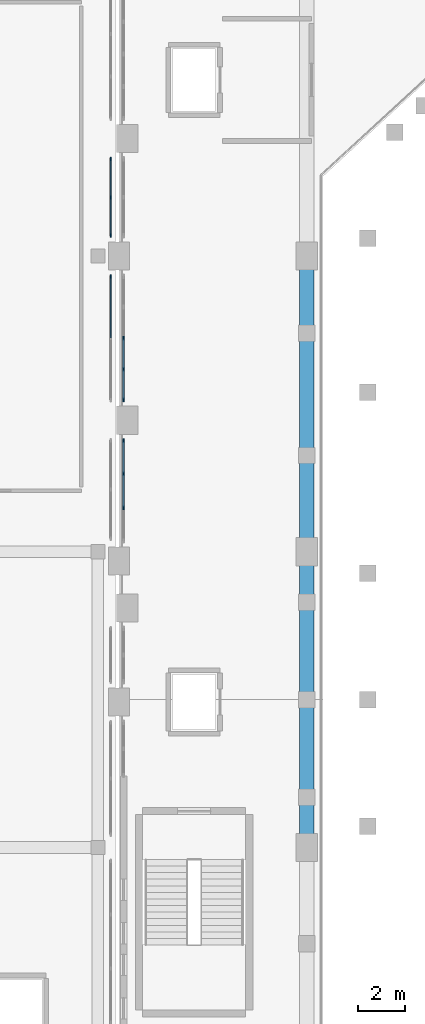
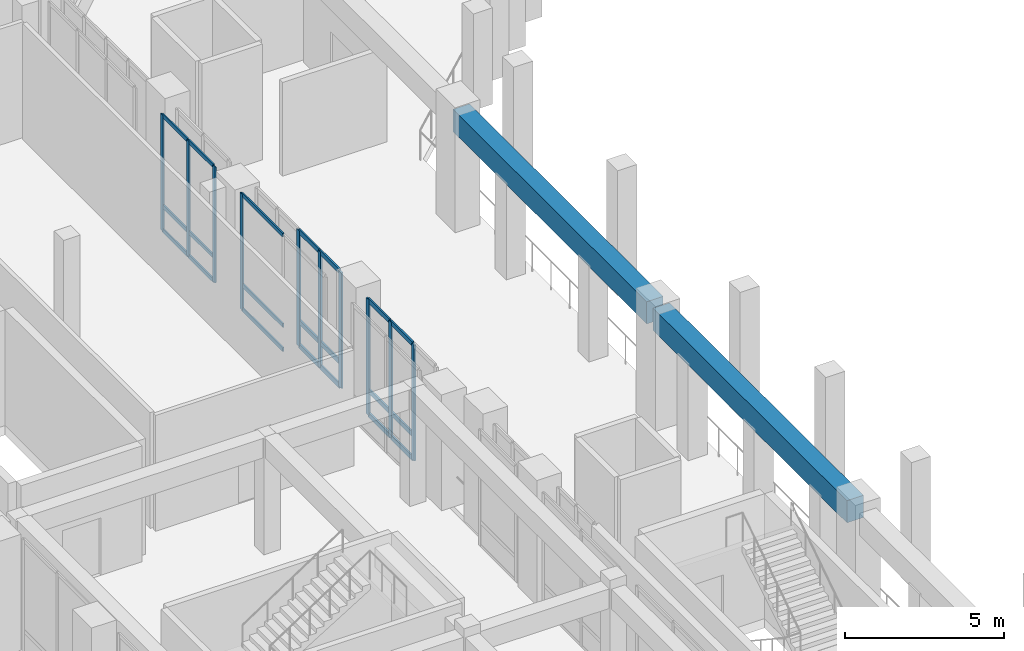
# One storey, part 30 of 126: 31 members, 2 beams, 4 elements without a shape of their own.
"""IFC4 building model written with IfcOpenShell, lengths in metres."""

from ifc_helpers import new_model, si_unit, derived_unit, direction, frame, origin, origin_2d, place, context, subcontext, project, spatial, rectangle, extrude, material, layer, layer_set, material_profile, profile_set, type_object, element, aggregate, save


model = new_model("IFC4")

# Units and contexts
model_context = context("Model", 3, precision=1e-05, world=origin(), true_north=direction((0.0, 1.0)))
body_context = subcontext(model_context, "Body", "Model", "MODEL_VIEW")
ifc_project = project(units=[si_unit("LENGTHUNIT", "METRE"), si_unit("AREAUNIT", "SQUARE_METRE"), si_unit("VOLUMEUNIT", "CUBIC_METRE"), si_unit("PLANEANGLEUNIT", "RADIAN"), si_unit("MASSUNIT", "GRAM", prefix="KILO"), derived_unit("THERMALTRANSMITTANCEUNIT", [(si_unit("MASSUNIT", "GRAM", prefix="KILO"), 1), (si_unit("TIMEUNIT", "SECOND"), -3), (si_unit("THERMODYNAMICTEMPERATUREUNIT", "KELVIN"), -1)])], contexts=[model_context])

# Site, building, storey
site_placement = place(None, origin())
site = spatial("IfcSite", under=ifc_project, at=site_placement, CompositionType="ELEMENT")
building_placement = place(site_placement, origin())
building = spatial("IfcBuilding", under=site, at=building_placement, Name="Valcora Ridge Arena", CompositionType="ELEMENT")
storey_placement = place(building_placement, frame((0.0, 0.0, 11.39990234375)))
storey = spatial("IfcBuildingStorey", under=building, at=storey_placement, Name="L02", CompositionType="ELEMENT", Elevation=11.39990234375)

# Beams
ifc_material_1 = material(Name="Concrete C40/50", Category="concrete")
ifc_material_profile_1 = material_profile(ifc_material_1, rectangle(XDim=0.60009765625, YDim=0.85009765625, at=origin_2d()), Name="RC 600x850")
ifc_profile_set_1 = profile_set([ifc_material_profile_1], Name="Concrete C40/50")
beam_type = type_object("IfcBeamType", Name="TY-BEAM-B-RC600-Y", PredefinedType="BEAM", material=ifc_profile_set_1)
for number, where, z_axis, x_axis, name in (
    (1, (24.0, 58.0, 4.025146484375), (0.0, 1.0, 0.0), (-1.0, 0.0, 0.0), "B-RC600-Y BEM-B-RC600-Y-0018"),
    (2, (24.0, 70.60009765625, 4.025146484375), (0.0, 1.0, 0.0), (-1.0, 0.0, 0.0), "B-RC600-Y BEM-B-RC600-Y-0019"),
):
    element("IfcBeam", number, at=place(storey_placement, frame(where, z_axis=z_axis, x_axis=x_axis)), inside=storey, type_object=beam_type, Name=name, PredefinedType="BEAM", context=body_context, shape_type="SweptSolid", body=[
        extrude(rectangle(XDim=0.60009765625, YDim=0.85009765625, at=origin_2d()), origin(), (0.0, 0.0, 1.0), 12.199951171875),
    ])

# Curtain wall, member
ifc_material_2 = material(Name="Anodised dark bronze architectural aluminium 6063-T6", Category="aluminium")
ifc_layer_1 = layer(ifc_material_2, 0.14990234375, Name="Anodised dark bronze architectural aluminium 6063-T6")
ifc_layer_set_1 = layer_set([ifc_layer_1], Name="Anodised dark bronze architectural aluminium 6063-T6")
curtain_wall_type_1 = type_object("IfcCurtainWallType", Name="TY-CURTAINWALL-CW-V4-CLUB-053X44", PredefinedType="NOTDEFINED", material=ifc_layer_set_1)
curtain_wall_1_placement = place(storey_placement, origin())
curtain_wall_1 = element("IfcCurtainWall", 3, at=curtain_wall_1_placement, inside=storey, type_object=curtain_wall_type_1, Name="CW-V4-CLUB-053X44 CW-0267", PredefinedType="NOTDEFINED")
ifc_material_profile_2 = material_profile(ifc_material_2, rectangle(XDim=0.050048828125, YDim=0.14990234375, at=origin_2d()), Name="ALU MULLION 50x150")
ifc_profile_set_2 = profile_set([ifc_material_profile_2], Name="Anodised dark bronze architectural aluminium 6063-T6")
member_type_1 = type_object("IfcMemberType", Name="TY-MEM-CWM-50x150", PredefinedType="MULLION", material=ifc_profile_set_2)
member_1_placement = place(storey_placement, frame((15.64990234375, 82.135009765625, 0.0), z_axis=(0.0, 0.0, 1.0), x_axis=(-1.0, 0.0, 0.0)))
member_1 = element("IfcMember", 4, at=member_1_placement, type_object=member_type_1, Name="CW-0267/CWM-50x150/M02", PredefinedType="MULLION", context=body_context, shape_type="SweptSolid", body=[
    extrude(rectangle(XDim=0.050048828125, YDim=0.14990234375, at=origin_2d()), origin(), (0.0, 0.0, 1.0), 4.4501953125),
])

# Curtain wall, members
ifc_layer_2 = layer(ifc_material_2, 0.14990234375, Name="Anodised dark bronze architectural aluminium 6063-T6")
ifc_layer_set_2 = layer_set([ifc_layer_2], Name="Anodised dark bronze architectural aluminium 6063-T6")
curtain_wall_type_2 = type_object("IfcCurtainWallType", Name="TY-CURTAINWALL-CW-V4-CLUB-033X44", PredefinedType="NOTDEFINED", material=ifc_layer_set_2)
curtain_wall_2_placement = place(storey_placement, origin())
curtain_wall_2 = element("IfcCurtainWall", 5, at=curtain_wall_2_placement, inside=storey, type_object=curtain_wall_type_2, Name="CW-V4-CLUB-033X44 CW-0268", PredefinedType="NOTDEFINED")
member_2_placement = place(storey_placement, frame((15.64990234375, 83.864990234375, 0.0), z_axis=(0.0, 0.0, 1.0), x_axis=(-1.0, 0.0, 0.0)))
member_2 = element("IfcMember", 6, at=member_2_placement, type_object=member_type_1, Name="CW-0268/CWM-50x150/M00", PredefinedType="MULLION", context=body_context, shape_type="SweptSolid", body=[
    extrude(rectangle(XDim=0.050048828125, YDim=0.14990234375, at=origin_2d()), origin(), (0.0, 0.0, 1.0), 4.4501953125),
])
member_3_placement = place(storey_placement, frame((15.64990234375, 85.5, 0.0), z_axis=(0.0, 0.0, 1.0), x_axis=(-1.0, 0.0, 0.0)))
member_3 = element("IfcMember", 7, at=member_3_placement, type_object=member_type_1, Name="CW-0268/CWM-50x150/M01", PredefinedType="MULLION", context=body_context, shape_type="SweptSolid", body=[
    extrude(rectangle(XDim=0.050048828125, YDim=0.14990234375, at=origin_2d()), origin(), (0.0, 0.0, 1.0), 4.4501953125),
])
member_4_placement = place(storey_placement, frame((15.64990234375, 87.135009765625, 0.0), z_axis=(0.0, 0.0, 1.0), x_axis=(-1.0, 0.0, 0.0)))
member_4 = element("IfcMember", 8, at=member_4_placement, type_object=member_type_1, Name="CW-0268/CWM-50x150/M02", PredefinedType="MULLION", context=body_context, shape_type="SweptSolid", body=[
    extrude(rectangle(XDim=0.050048828125, YDim=0.14990234375, at=origin_2d()), origin(), (0.0, 0.0, 1.0), 4.4501953125),
])

ifc_layer_3 = layer(ifc_material_2, 0.179931640625, Name="Anodised dark bronze architectural aluminium 6063-T6")
ifc_layer_set_3 = layer_set([ifc_layer_3], Name="Anodised dark bronze architectural aluminium 6063-T6")
curtain_wall_type_3 = type_object("IfcCurtainWallType", Name="TY-CURTAINWALL-CW-V1-GOTH-043X44", PredefinedType="NOTDEFINED", material=ifc_layer_set_3)
curtain_wall_3_placement = place(storey_placement, origin())
curtain_wall_3 = element("IfcCurtainWall", 9, at=curtain_wall_3_placement, inside=storey, type_object=curtain_wall_type_3, Name="CW-V1-GOTH-043X44 CW-0116", PredefinedType="NOTDEFINED")
ifc_material_profile_3 = material_profile(ifc_material_2, rectangle(XDim=0.06005859375, YDim=0.179931640625, at=origin_2d()), Name="ALU MULLION 60x180")
ifc_profile_set_3 = profile_set([ifc_material_profile_3], Name="Anodised dark bronze architectural aluminium 6063-T6")
member_type_2 = type_object("IfcMemberType", Name="TY-MEM-CWM-60x180", PredefinedType="MULLION", material=ifc_profile_set_3)
member_5_placement = place(storey_placement, frame((16.199951171875, 72.280029296875, 0.0), z_axis=(0.0, 0.0, 1.0), x_axis=(-1.0, 0.0, 0.0)))
member_5 = element("IfcMember", 10, at=member_5_placement, type_object=member_type_2, Name="CW-0116/CWM-60x180/M01", PredefinedType="MULLION", context=body_context, shape_type="SweptSolid", body=[
    extrude(rectangle(XDim=0.06005859375, YDim=0.179931640625, at=origin_2d()), origin(), (0.0, 0.0, 1.0), 4.4501953125),
])
member_6_placement = place(storey_placement, frame((16.199951171875, 73.719970703125, 0.0), z_axis=(0.0, 0.0, 1.0), x_axis=(-1.0, 0.0, 0.0)))
member_6 = element("IfcMember", 11, at=member_6_placement, type_object=member_type_2, Name="CW-0116/CWM-60x180/M02", PredefinedType="MULLION", context=body_context, shape_type="SweptSolid", body=[
    extrude(rectangle(XDim=0.06005859375, YDim=0.179931640625, at=origin_2d()), origin(), (0.0, 0.0, 1.0), 4.4501953125),
])
member_7_placement = place(storey_placement, frame((16.199951171875, 75.1298828125, 0.0), z_axis=(0.0, 0.0, 1.0), x_axis=(-1.0, 0.0, 0.0)))
member_7 = element("IfcMember", 12, at=member_7_placement, type_object=member_type_2, Name="CW-0116/CWM-60x180/M03", PredefinedType="MULLION", context=body_context, shape_type="SweptSolid", body=[
    extrude(rectangle(XDim=0.06005859375, YDim=0.179931640625, at=origin_2d()), origin(), (0.0, 0.0, 1.0), 4.4501953125),
])

ifc_layer_4 = layer(ifc_material_2, 0.179931640625, Name="Anodised dark bronze architectural aluminium 6063-T6")
ifc_layer_set_4 = layer_set([ifc_layer_4], Name="Anodised dark bronze architectural aluminium 6063-T6")
curtain_wall_type_4 = type_object("IfcCurtainWallType", Name="TY-CURTAINWALL-CW-V1-GOTH-053X44", PredefinedType="NOTDEFINED", material=ifc_layer_set_4)
curtain_wall_4_placement = place(storey_placement, origin())
curtain_wall_4 = element("IfcCurtainWall", 13, at=curtain_wall_4_placement, inside=storey, type_object=curtain_wall_type_4, Name="CW-V1-GOTH-053X44 CW-0117", PredefinedType="NOTDEFINED")
member_8_placement = place(storey_placement, frame((16.199951171875, 76.8701171875, 0.0), z_axis=(0.0, 0.0, 1.0), x_axis=(-1.0, 0.0, 0.0)))
member_8 = element("IfcMember", 14, at=member_8_placement, type_object=member_type_2, Name="CW-0117/CWM-60x180/M00", PredefinedType="MULLION", context=body_context, shape_type="SweptSolid", body=[
    extrude(rectangle(XDim=0.06005859375, YDim=0.179931640625, at=origin_2d()), origin(), (0.0, 0.0, 1.0), 4.4501953125),
])
member_9_placement = place(storey_placement, frame((16.199951171875, 78.169921875, 0.0), z_axis=(0.0, 0.0, 1.0), x_axis=(-1.0, 0.0, 0.0)))
member_9 = element("IfcMember", 15, at=member_9_placement, type_object=member_type_2, Name="CW-0117/CWM-60x180/M01", PredefinedType="MULLION", context=body_context, shape_type="SweptSolid", body=[
    extrude(rectangle(XDim=0.06005859375, YDim=0.179931640625, at=origin_2d()), origin(), (0.0, 0.0, 1.0), 4.4501953125),
])
member_10_placement = place(storey_placement, frame((16.199951171875, 79.5, 0.0), z_axis=(0.0, 0.0, 1.0), x_axis=(-1.0, 0.0, 0.0)))
member_10 = element("IfcMember", 16, at=member_10_placement, type_object=member_type_2, Name="CW-0117/CWM-60x180/M02", PredefinedType="MULLION", context=body_context, shape_type="SweptSolid", body=[
    extrude(rectangle(XDim=0.06005859375, YDim=0.179931640625, at=origin_2d()), origin(), (0.0, 0.0, 1.0), 4.4501953125),
])

# Member
ifc_material_profile_4 = material_profile(ifc_material_2, rectangle(XDim=0.050048828125, YDim=0.14990234375, at=origin_2d()), Name="ALU TRANSOM 50x150")
ifc_profile_set_4 = profile_set([ifc_material_profile_4], Name="Anodised dark bronze architectural aluminium 6063-T6")
member_type_3 = type_object("IfcMemberType", Name="TY-MEM-CWT-50x150", PredefinedType="USERDEFINED", material=ifc_profile_set_4)
member_11_placement = place(storey_placement, frame((15.64990234375, 79.52490234375, 0.025146484375), z_axis=(0.0, 1.0, 0.0), x_axis=(-1.0, 0.0, 0.0)))
member_11 = element("IfcMember", 17, at=member_11_placement, type_object=member_type_3, Name="CW-0267/CWT-50x150/T01-00", ObjectType="TRANSOM", PredefinedType="USERDEFINED", context=body_context, shape_type="SweptSolid", body=[
    extrude(rectangle(XDim=0.050048828125, YDim=0.14990234375, at=origin_2d()), origin(), (0.0, 0.0, 1.0), 2.585205078125),
])

member_12_placement = place(storey_placement, frame((15.64990234375, 79.52490234375, 0.9501953125), z_axis=(0.0, 1.0, 0.0), x_axis=(-1.0, 0.0, 0.0)))
member_12 = element("IfcMember", 18, at=member_12_placement, type_object=member_type_3, Name="CW-0267/CWT-50x150/T01-01", ObjectType="TRANSOM", PredefinedType="USERDEFINED", context=body_context, shape_type="SweptSolid", body=[
    extrude(rectangle(XDim=0.050048828125, YDim=0.14990234375, at=origin_2d()), origin(), (0.0, 0.0, 1.0), 2.585205078125),
])

member_13_placement = place(storey_placement, frame((15.64990234375, 79.52490234375, 4.425048828125), z_axis=(0.0, 1.0, 0.0), x_axis=(-1.0, 0.0, 0.0)))
member_13 = element("IfcMember", 19, at=member_13_placement, type_object=member_type_3, Name="CW-0267/CWT-50x150/T01-02", ObjectType="TRANSOM", PredefinedType="USERDEFINED", context=body_context, shape_type="SweptSolid", body=[
    extrude(rectangle(XDim=0.050048828125, YDim=0.14990234375, at=origin_2d()), origin(), (0.0, 0.0, 1.0), 2.585205078125),
])

aggregate(curtain_wall_1, [member_1, member_11, member_12, member_13])

member_14_placement = place(storey_placement, frame((15.64990234375, 83.889892578125, 0.025146484375), z_axis=(0.0, 1.0, 0.0), x_axis=(-1.0, 0.0, 0.0)))
member_14 = element("IfcMember", 20, at=member_14_placement, type_object=member_type_3, Name="CW-0268/CWT-50x150/T00-00", ObjectType="TRANSOM", PredefinedType="USERDEFINED", context=body_context, shape_type="SweptSolid", body=[
    extrude(rectangle(XDim=0.050048828125, YDim=0.14990234375, at=origin_2d()), origin(), (0.0, 0.0, 1.0), 1.585205078125),
])

member_15_placement = place(storey_placement, frame((15.64990234375, 83.889892578125, 0.9501953125), z_axis=(0.0, 1.0, 0.0), x_axis=(-1.0, 0.0, 0.0)))
member_15 = element("IfcMember", 21, at=member_15_placement, type_object=member_type_3, Name="CW-0268/CWT-50x150/T00-01", ObjectType="TRANSOM", PredefinedType="USERDEFINED", context=body_context, shape_type="SweptSolid", body=[
    extrude(rectangle(XDim=0.050048828125, YDim=0.14990234375, at=origin_2d()), origin(), (0.0, 0.0, 1.0), 1.585205078125),
])

member_16_placement = place(storey_placement, frame((15.64990234375, 83.889892578125, 4.425048828125), z_axis=(0.0, 1.0, 0.0), x_axis=(-1.0, 0.0, 0.0)))
member_16 = element("IfcMember", 22, at=member_16_placement, type_object=member_type_3, Name="CW-0268/CWT-50x150/T00-02", ObjectType="TRANSOM", PredefinedType="USERDEFINED", context=body_context, shape_type="SweptSolid", body=[
    extrude(rectangle(XDim=0.050048828125, YDim=0.14990234375, at=origin_2d()), origin(), (0.0, 0.0, 1.0), 1.585205078125),
])

member_17_placement = place(storey_placement, frame((15.64990234375, 85.52490234375, 0.025146484375), z_axis=(0.0, 1.0, 0.0), x_axis=(-1.0, 0.0, 0.0)))
member_17 = element("IfcMember", 23, at=member_17_placement, type_object=member_type_3, Name="CW-0268/CWT-50x150/T01-00", ObjectType="TRANSOM", PredefinedType="USERDEFINED", context=body_context, shape_type="SweptSolid", body=[
    extrude(rectangle(XDim=0.050048828125, YDim=0.14990234375, at=origin_2d()), origin(), (0.0, 0.0, 1.0), 1.585205078125),
])

member_18_placement = place(storey_placement, frame((15.64990234375, 85.52490234375, 0.9501953125), z_axis=(0.0, 1.0, 0.0), x_axis=(-1.0, 0.0, 0.0)))
member_18 = element("IfcMember", 24, at=member_18_placement, type_object=member_type_3, Name="CW-0268/CWT-50x150/T01-01", ObjectType="TRANSOM", PredefinedType="USERDEFINED", context=body_context, shape_type="SweptSolid", body=[
    extrude(rectangle(XDim=0.050048828125, YDim=0.14990234375, at=origin_2d()), origin(), (0.0, 0.0, 1.0), 1.585205078125),
])

member_19_placement = place(storey_placement, frame((15.64990234375, 85.52490234375, 4.425048828125), z_axis=(0.0, 1.0, 0.0), x_axis=(-1.0, 0.0, 0.0)))
member_19 = element("IfcMember", 25, at=member_19_placement, type_object=member_type_3, Name="CW-0268/CWT-50x150/T01-02", ObjectType="TRANSOM", PredefinedType="USERDEFINED", context=body_context, shape_type="SweptSolid", body=[
    extrude(rectangle(XDim=0.050048828125, YDim=0.14990234375, at=origin_2d()), origin(), (0.0, 0.0, 1.0), 1.585205078125),
])

aggregate(curtain_wall_2, [member_2, member_3, member_4, member_14, member_15, member_16, member_17, member_18, member_19])

ifc_material_profile_5 = material_profile(ifc_material_2, rectangle(XDim=0.06005859375, YDim=0.179931640625, at=origin_2d()), Name="ALU TRANSOM 60x180")
ifc_profile_set_5 = profile_set([ifc_material_profile_5], Name="Anodised dark bronze architectural aluminium 6063-T6")
member_type_4 = type_object("IfcMemberType", Name="TY-MEM-CWT-60x180", PredefinedType="USERDEFINED", material=ifc_profile_set_5)
member_20_placement = place(storey_placement, frame((16.199951171875, 72.31005859375, 0.030029296875), z_axis=(0.0, 1.0, 0.0), x_axis=(-1.0, 0.0, 0.0)))
member_20 = element("IfcMember", 26, at=member_20_placement, type_object=member_type_4, Name="CW-0116/CWT-60x180/T01-00", ObjectType="TRANSOM", PredefinedType="USERDEFINED", context=body_context, shape_type="SweptSolid", body=[
    extrude(rectangle(XDim=0.06005859375, YDim=0.179931640625, at=origin_2d()), origin(), (0.0, 0.0, 1.0), 1.3798828125),
])

member_21_placement = place(storey_placement, frame((16.199951171875, 72.31005859375, 0.9501953125), z_axis=(0.0, 1.0, 0.0), x_axis=(-1.0, 0.0, 0.0)))
member_21 = element("IfcMember", 27, at=member_21_placement, type_object=member_type_4, Name="CW-0116/CWT-60x180/T01-01", ObjectType="TRANSOM", PredefinedType="USERDEFINED", context=body_context, shape_type="SweptSolid", body=[
    extrude(rectangle(XDim=0.06005859375, YDim=0.179931640625, at=origin_2d()), origin(), (0.0, 0.0, 1.0), 1.3798828125),
])

member_22_placement = place(storey_placement, frame((16.199951171875, 72.31005859375, 4.420166015625), z_axis=(0.0, 1.0, 0.0), x_axis=(-1.0, 0.0, 0.0)))
member_22 = element("IfcMember", 28, at=member_22_placement, type_object=member_type_4, Name="CW-0116/CWT-60x180/T01-02", ObjectType="TRANSOM", PredefinedType="USERDEFINED", context=body_context, shape_type="SweptSolid", body=[
    extrude(rectangle(XDim=0.06005859375, YDim=0.179931640625, at=origin_2d()), origin(), (0.0, 0.0, 1.0), 1.3798828125),
])

member_23_placement = place(storey_placement, frame((16.199951171875, 73.75, 0.030029296875), z_axis=(0.0, 1.0, 0.0), x_axis=(-1.0, 0.0, 0.0)))
member_23 = element("IfcMember", 29, at=member_23_placement, type_object=member_type_4, Name="CW-0116/CWT-60x180/T02-00", ObjectType="TRANSOM", PredefinedType="USERDEFINED", context=body_context, shape_type="SweptSolid", body=[
    extrude(rectangle(XDim=0.06005859375, YDim=0.179931640625, at=origin_2d()), origin(), (0.0, 0.0, 1.0), 1.35009765625),
])

member_24_placement = place(storey_placement, frame((16.199951171875, 73.75, 0.9501953125), z_axis=(0.0, 1.0, 0.0), x_axis=(-1.0, 0.0, 0.0)))
member_24 = element("IfcMember", 30, at=member_24_placement, type_object=member_type_4, Name="CW-0116/CWT-60x180/T02-01", ObjectType="TRANSOM", PredefinedType="USERDEFINED", context=body_context, shape_type="SweptSolid", body=[
    extrude(rectangle(XDim=0.06005859375, YDim=0.179931640625, at=origin_2d()), origin(), (0.0, 0.0, 1.0), 1.35009765625),
])

member_25_placement = place(storey_placement, frame((16.199951171875, 73.75, 4.420166015625), z_axis=(0.0, 1.0, 0.0), x_axis=(-1.0, 0.0, 0.0)))
member_25 = element("IfcMember", 31, at=member_25_placement, type_object=member_type_4, Name="CW-0116/CWT-60x180/T02-02", ObjectType="TRANSOM", PredefinedType="USERDEFINED", context=body_context, shape_type="SweptSolid", body=[
    extrude(rectangle(XDim=0.06005859375, YDim=0.179931640625, at=origin_2d()), origin(), (0.0, 0.0, 1.0), 1.35009765625),
])

aggregate(curtain_wall_3, [member_5, member_6, member_7, member_20, member_21, member_22, member_23, member_24, member_25])

member_26_placement = place(storey_placement, frame((16.199951171875, 76.89990234375, 0.030029296875), z_axis=(0.0, 1.0, 0.0), x_axis=(-1.0, 0.0, 0.0)))
member_26 = element("IfcMember", 32, at=member_26_placement, type_object=member_type_4, Name="CW-0117/CWT-60x180/T00-00", ObjectType="TRANSOM", PredefinedType="USERDEFINED", context=body_context, shape_type="SweptSolid", body=[
    extrude(rectangle(XDim=0.06005859375, YDim=0.179931640625, at=origin_2d()), origin(), (0.0, 0.0, 1.0), 1.239990234375),
])

member_27_placement = place(storey_placement, frame((16.199951171875, 76.89990234375, 0.9501953125), z_axis=(0.0, 1.0, 0.0), x_axis=(-1.0, 0.0, 0.0)))
member_27 = element("IfcMember", 33, at=member_27_placement, type_object=member_type_4, Name="CW-0117/CWT-60x180/T00-01", ObjectType="TRANSOM", PredefinedType="USERDEFINED", context=body_context, shape_type="SweptSolid", body=[
    extrude(rectangle(XDim=0.06005859375, YDim=0.179931640625, at=origin_2d()), origin(), (0.0, 0.0, 1.0), 1.239990234375),
])

member_28_placement = place(storey_placement, frame((16.199951171875, 76.89990234375, 4.420166015625), z_axis=(0.0, 1.0, 0.0), x_axis=(-1.0, 0.0, 0.0)))
member_28 = element("IfcMember", 34, at=member_28_placement, type_object=member_type_4, Name="CW-0117/CWT-60x180/T00-02", ObjectType="TRANSOM", PredefinedType="USERDEFINED", context=body_context, shape_type="SweptSolid", body=[
    extrude(rectangle(XDim=0.06005859375, YDim=0.179931640625, at=origin_2d()), origin(), (0.0, 0.0, 1.0), 1.239990234375),
])

member_29_placement = place(storey_placement, frame((16.199951171875, 78.199951171875, 0.030029296875), z_axis=(0.0, 1.0, 0.0), x_axis=(-1.0, 0.0, 0.0)))
member_29 = element("IfcMember", 35, at=member_29_placement, type_object=member_type_4, Name="CW-0117/CWT-60x180/T01-00", ObjectType="TRANSOM", PredefinedType="USERDEFINED", context=body_context, shape_type="SweptSolid", body=[
    extrude(rectangle(XDim=0.06005859375, YDim=0.179931640625, at=origin_2d()), origin(), (0.0, 0.0, 1.0), 1.27001953125),
])

member_30_placement = place(storey_placement, frame((16.199951171875, 78.199951171875, 0.9501953125), z_axis=(0.0, 1.0, 0.0), x_axis=(-1.0, 0.0, 0.0)))
member_30 = element("IfcMember", 36, at=member_30_placement, type_object=member_type_4, Name="CW-0117/CWT-60x180/T01-01", ObjectType="TRANSOM", PredefinedType="USERDEFINED", context=body_context, shape_type="SweptSolid", body=[
    extrude(rectangle(XDim=0.06005859375, YDim=0.179931640625, at=origin_2d()), origin(), (0.0, 0.0, 1.0), 1.27001953125),
])

member_31_placement = place(storey_placement, frame((16.199951171875, 78.199951171875, 4.420166015625), z_axis=(0.0, 1.0, 0.0), x_axis=(-1.0, 0.0, 0.0)))
member_31 = element("IfcMember", 37, at=member_31_placement, type_object=member_type_4, Name="CW-0117/CWT-60x180/T01-02", ObjectType="TRANSOM", PredefinedType="USERDEFINED", context=body_context, shape_type="SweptSolid", body=[
    extrude(rectangle(XDim=0.06005859375, YDim=0.179931640625, at=origin_2d()), origin(), (0.0, 0.0, 1.0), 1.27001953125),
])

aggregate(curtain_wall_4, [member_8, member_9, member_10, member_26, member_27, member_28, member_29, member_30, member_31])

save(model, "model.ifc")
